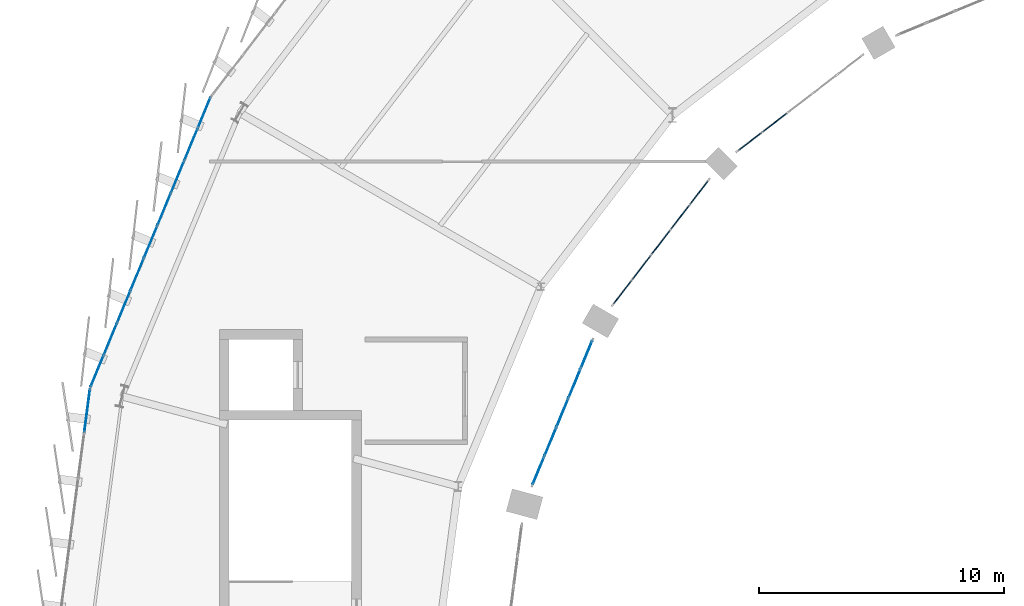
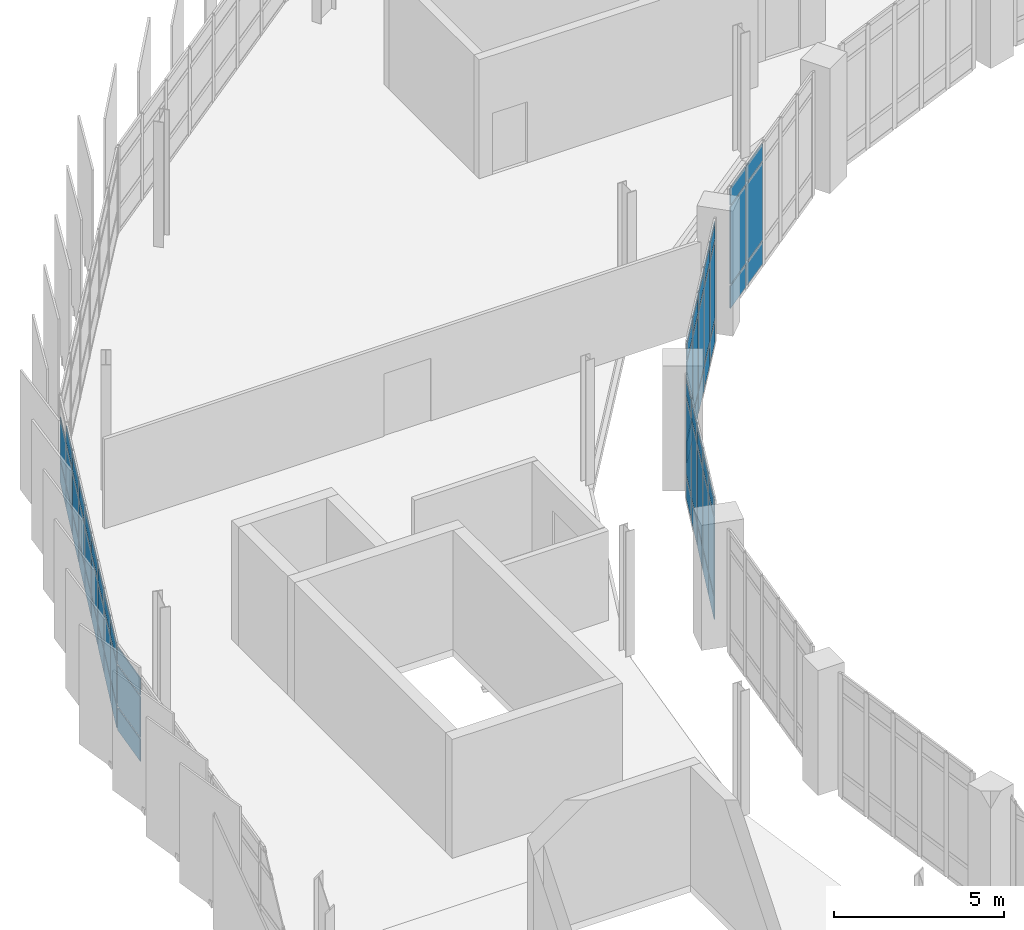
# One storey, part 53 of 67: 65 plates, 5 elements without a shape of their own.
"""IFC4 building model written with IfcOpenShell, lengths in metres."""

from ifc_helpers import new_model, si_unit, direction, frame, origin, origin_2d, place, context, subcontext, project, spatial, rectangle, extrude, material, layer, layer_set, type_object, element, aggregate, save


model = new_model("IFC4")

# Units and contexts
model_context = context("Model", 3, precision=1e-05, world=origin(), true_north=direction((0.0, 1.0)))
body_context = subcontext(model_context, "Body", "Model", "MODEL_VIEW")
ifc_project = project(units=[si_unit("LENGTHUNIT", "METRE"), si_unit("AREAUNIT", "SQUARE_METRE"), si_unit("VOLUMEUNIT", "CUBIC_METRE"), si_unit("PLANEANGLEUNIT", "RADIAN"), si_unit("MASSUNIT", "GRAM", prefix="KILO")], contexts=[model_context])

# Site, building, storey
site_placement = place(None, origin())
site = spatial("IfcSite", under=ifc_project, at=site_placement, CompositionType="ELEMENT")
building_placement = place(site_placement, origin())
building = spatial("IfcBuilding", under=site, at=building_placement, Name="Sohan Crest Arena", CompositionType="ELEMENT")
storey_placement = place(building_placement, frame((0.0, 0.0, 22.5)))
storey = spatial("IfcBuildingStorey", under=building, at=storey_placement, Name="L05", CompositionType="ELEMENT", Elevation=22.5)

# Curtain wall, plates
ifc_material_1 = material(Name="Thermally broken anodised aluminium", Category="aluminium")
ifc_layer_1 = layer(ifc_material_1, 0.18994140625, Name="Thermally broken anodised aluminium")
ifc_layer_set_1 = layer_set([ifc_layer_1], Name="Thermally broken anodised aluminium")
curtain_wall_type_1 = type_object("IfcCurtainWallType", Name="ARC-CW05", PredefinedType="NOTDEFINED", material=ifc_layer_set_1)
curtain_wall_1_placement = place(storey_placement, origin())
curtain_wall_1 = element("IfcCurtainWall", 1, at=curtain_wall_1_placement, inside=storey, type_object=curtain_wall_type_1, Name="Unitised curtain wall CW-150", PredefinedType="NOTDEFINED")
ifc_material_2 = material(Name="Low-E double-glazed insulated glass", Category="glass")
ifc_layer_2 = layer(ifc_material_2, 0.028076171875, Name="Low-E double-glazed insulated glass")
ifc_layer_set_2 = layer_set([ifc_layer_2], Name="Low-E double-glazed insulated glass")
plate_type_1 = type_object("IfcPlateType", Name="ARC-CNP01", PredefinedType="CURTAIN_PANEL", material=ifc_layer_set_2)
plate_1_placement = place(storey_placement, frame((54.982421875, 102.0, 0.06494140625), z_axis=(0.0, 0.0, 1.0), x_axis=(-0.382685432009, -0.923878704229, 0.0)))
plate_1 = element("IfcPlate", 2, at=plate_1_placement, type_object=plate_type_1, Name="CW-150 panel 1.1", PredefinedType="CURTAIN_PANEL", context=body_context, shape_type="SweptSolid", body=[
    extrude(rectangle(XDim=1.34130859375, YDim=0.028076171875, at=origin_2d()), origin(), (0.0, 0.0, 1.0), 0.802490234375),
])
plate_2_placement = place(storey_placement, frame((54.982421875, 102.0, 0.932373046875), z_axis=(0.0, 0.0, 1.0), x_axis=(-0.382685432009, -0.923878704229, 0.0)))
plate_2 = element("IfcPlate", 3, at=plate_2_placement, type_object=plate_type_1, Name="CW-150 panel 1.2", PredefinedType="CURTAIN_PANEL", context=body_context, shape_type="SweptSolid", body=[
    extrude(rectangle(XDim=1.34130859375, YDim=0.028076171875, at=origin_2d()), origin(), (0.0, 0.0, 1.0), 1.455078125),
])
plate_3_placement = place(storey_placement, frame((54.4404296875, 100.69140625, 0.06494140625), z_axis=(0.0, 0.0, 1.0), x_axis=(-0.382685432009, -0.923878704229, 0.0)))
plate_3 = element("IfcPlate", 4, at=plate_3_placement, type_object=plate_type_1, Name="CW-150 panel 2.1", PredefinedType="CURTAIN_PANEL", context=body_context, shape_type="SweptSolid", body=[
    extrude(rectangle(XDim=1.371337890625, YDim=0.028076171875, at=origin_2d()), origin(), (0.0, 0.0, 1.0), 0.802490234375),
])
plate_4_placement = place(storey_placement, frame((54.4404296875, 100.69140625, 0.932373046875), z_axis=(0.0, 0.0, 1.0), x_axis=(-0.382685432009, -0.923878704229, 0.0)))
plate_4 = element("IfcPlate", 5, at=plate_4_placement, type_object=plate_type_1, Name="CW-150 panel 2.2", PredefinedType="CURTAIN_PANEL", context=body_context, shape_type="SweptSolid", body=[
    extrude(rectangle(XDim=1.371337890625, YDim=0.028076171875, at=origin_2d()), origin(), (0.0, 0.0, 1.0), 1.455078125),
])
plate_5_placement = place(storey_placement, frame((54.4404296875, 100.69140625, 2.452392578125), z_axis=(0.0, 0.0, 1.0), x_axis=(-0.382685432009, -0.923878704229, 0.0)))
plate_5 = element("IfcPlate", 6, at=plate_5_placement, type_object=plate_type_1, Name="CW-150 panel 2.3", PredefinedType="CURTAIN_PANEL", context=body_context, shape_type="SweptSolid", body=[
    extrude(rectangle(XDim=1.371337890625, YDim=0.028076171875, at=origin_2d()), origin(), (0.0, 0.0, 1.0), 0.6025390625),
])
plate_6_placement = place(storey_placement, frame((53.892578125, 99.368896484375, 0.06494140625), z_axis=(0.0, 0.0, 1.0), x_axis=(-0.382685432009, -0.923878704229, 0.0)))
plate_6 = element("IfcPlate", 7, at=plate_6_placement, type_object=plate_type_1, Name="CW-150 panel 3.1", PredefinedType="CURTAIN_PANEL", context=body_context, shape_type="SweptSolid", body=[
    extrude(rectangle(XDim=1.371337890625, YDim=0.028076171875, at=origin_2d()), origin(), (0.0, 0.0, 1.0), 0.802490234375),
])
plate_7_placement = place(storey_placement, frame((53.892578125, 99.368896484375, 0.932373046875), z_axis=(0.0, 0.0, 1.0), x_axis=(-0.382685432009, -0.923878704229, 0.0)))
plate_7 = element("IfcPlate", 8, at=plate_7_placement, type_object=plate_type_1, Name="CW-150 panel 3.2", PredefinedType="CURTAIN_PANEL", context=body_context, shape_type="SweptSolid", body=[
    extrude(rectangle(XDim=1.371337890625, YDim=0.028076171875, at=origin_2d()), origin(), (0.0, 0.0, 1.0), 1.455078125),
])
plate_8_placement = place(storey_placement, frame((53.892578125, 99.368896484375, 2.452392578125), z_axis=(0.0, 0.0, 1.0), x_axis=(-0.382685432009, -0.923878704229, 0.0)))
plate_8 = element("IfcPlate", 9, at=plate_8_placement, type_object=plate_type_1, Name="CW-150 panel 3.3", PredefinedType="CURTAIN_PANEL", context=body_context, shape_type="SweptSolid", body=[
    extrude(rectangle(XDim=1.371337890625, YDim=0.028076171875, at=origin_2d()), origin(), (0.0, 0.0, 1.0), 0.6025390625),
])
plate_9_placement = place(storey_placement, frame((53.3447265625, 98.04638671875, 0.06494140625), z_axis=(0.0, 0.0, 1.0), x_axis=(-0.382685432009, -0.923878704229, 0.0)))
plate_9 = element("IfcPlate", 10, at=plate_9_placement, type_object=plate_type_1, Name="CW-150 panel 4.1", PredefinedType="CURTAIN_PANEL", context=body_context, shape_type="SweptSolid", body=[
    extrude(rectangle(XDim=1.371337890625, YDim=0.028076171875, at=origin_2d()), origin(), (0.0, 0.0, 1.0), 0.802490234375),
])
plate_10_placement = place(storey_placement, frame((53.3447265625, 98.04638671875, 0.932373046875), z_axis=(0.0, 0.0, 1.0), x_axis=(-0.382685432009, -0.923878704229, 0.0)))
plate_10 = element("IfcPlate", 11, at=plate_10_placement, type_object=plate_type_1, Name="CW-150 panel 4.2", PredefinedType="CURTAIN_PANEL", context=body_context, shape_type="SweptSolid", body=[
    extrude(rectangle(XDim=1.371337890625, YDim=0.028076171875, at=origin_2d()), origin(), (0.0, 0.0, 1.0), 1.455078125),
])
plate_11_placement = place(storey_placement, frame((53.3447265625, 98.04638671875, 2.452392578125), z_axis=(0.0, 0.0, 1.0), x_axis=(-0.382685432009, -0.923878704229, 0.0)))
plate_11 = element("IfcPlate", 12, at=plate_11_placement, type_object=plate_type_1, Name="CW-150 panel 4.3", PredefinedType="CURTAIN_PANEL", context=body_context, shape_type="SweptSolid", body=[
    extrude(rectangle(XDim=1.371337890625, YDim=0.028076171875, at=origin_2d()), origin(), (0.0, 0.0, 1.0), 0.6025390625),
])
plate_12_placement = place(storey_placement, frame((52.797119140625, 96.72412109375, 0.06494140625), z_axis=(0.0, 0.0, 1.0), x_axis=(-0.382685432009, -0.923878704229, 0.0)))
plate_12 = element("IfcPlate", 13, at=plate_12_placement, type_object=plate_type_1, Name="CW-150 panel 5.1", PredefinedType="CURTAIN_PANEL", context=body_context, shape_type="SweptSolid", body=[
    extrude(rectangle(XDim=1.371337890625, YDim=0.028076171875, at=origin_2d()), origin(), (0.0, 0.0, 1.0), 0.802490234375),
])
plate_13_placement = place(storey_placement, frame((52.797119140625, 96.72412109375, 0.932373046875), z_axis=(0.0, 0.0, 1.0), x_axis=(-0.382685432009, -0.923878704229, 0.0)))
plate_13 = element("IfcPlate", 14, at=plate_13_placement, type_object=plate_type_1, Name="CW-150 panel 5.2", PredefinedType="CURTAIN_PANEL", context=body_context, shape_type="SweptSolid", body=[
    extrude(rectangle(XDim=1.371337890625, YDim=0.028076171875, at=origin_2d()), origin(), (0.0, 0.0, 1.0), 1.455078125),
])
plate_14_placement = place(storey_placement, frame((52.797119140625, 96.72412109375, 2.452392578125), z_axis=(0.0, 0.0, 1.0), x_axis=(-0.382685432009, -0.923878704229, 0.0)))
plate_14 = element("IfcPlate", 15, at=plate_14_placement, type_object=plate_type_1, Name="CW-150 panel 5.3", PredefinedType="CURTAIN_PANEL", context=body_context, shape_type="SweptSolid", body=[
    extrude(rectangle(XDim=1.371337890625, YDim=0.028076171875, at=origin_2d()), origin(), (0.0, 0.0, 1.0), 0.6025390625),
])
plate_15_placement = place(storey_placement, frame((52.249267578125, 95.401611328125, 0.06494140625), z_axis=(0.0, 0.0, 1.0), x_axis=(-0.382685432009, -0.923878704229, 0.0)))
plate_15 = element("IfcPlate", 16, at=plate_15_placement, type_object=plate_type_1, Name="CW-150 panel 6.1", PredefinedType="CURTAIN_PANEL", context=body_context, shape_type="SweptSolid", body=[
    extrude(rectangle(XDim=1.371337890625, YDim=0.028076171875, at=origin_2d()), origin(), (0.0, 0.0, 1.0), 0.802490234375),
])
plate_16_placement = place(storey_placement, frame((52.249267578125, 95.401611328125, 0.932373046875), z_axis=(0.0, 0.0, 1.0), x_axis=(-0.382685432009, -0.923878704229, 0.0)))
plate_16 = element("IfcPlate", 17, at=plate_16_placement, type_object=plate_type_1, Name="CW-150 panel 6.2", PredefinedType="CURTAIN_PANEL", context=body_context, shape_type="SweptSolid", body=[
    extrude(rectangle(XDim=1.371337890625, YDim=0.028076171875, at=origin_2d()), origin(), (0.0, 0.0, 1.0), 1.455078125),
])
plate_17_placement = place(storey_placement, frame((52.249267578125, 95.401611328125, 2.452392578125), z_axis=(0.0, 0.0, 1.0), x_axis=(-0.382685432009, -0.923878704229, 0.0)))
plate_17 = element("IfcPlate", 18, at=plate_17_placement, type_object=plate_type_1, Name="CW-150 panel 6.3", PredefinedType="CURTAIN_PANEL", context=body_context, shape_type="SweptSolid", body=[
    extrude(rectangle(XDim=1.371337890625, YDim=0.028076171875, at=origin_2d()), origin(), (0.0, 0.0, 1.0), 0.6025390625),
])
plate_18_placement = place(storey_placement, frame((51.701416015625, 94.0791015625, 0.06494140625), z_axis=(0.0, 0.0, 1.0), x_axis=(-0.382685432009, -0.923878704229, 0.0)))
plate_18 = element("IfcPlate", 19, at=plate_18_placement, type_object=plate_type_1, Name="CW-150 panel 7.1", PredefinedType="CURTAIN_PANEL", context=body_context, shape_type="SweptSolid", body=[
    extrude(rectangle(XDim=1.371337890625, YDim=0.028076171875, at=origin_2d()), origin(), (0.0, 0.0, 1.0), 0.802490234375),
])
plate_19_placement = place(storey_placement, frame((51.701416015625, 94.0791015625, 0.932373046875), z_axis=(0.0, 0.0, 1.0), x_axis=(-0.382685432009, -0.923878704229, 0.0)))
plate_19 = element("IfcPlate", 20, at=plate_19_placement, type_object=plate_type_1, Name="CW-150 panel 7.2", PredefinedType="CURTAIN_PANEL", context=body_context, shape_type="SweptSolid", body=[
    extrude(rectangle(XDim=1.371337890625, YDim=0.028076171875, at=origin_2d()), origin(), (0.0, 0.0, 1.0), 1.455078125),
])
plate_20_placement = place(storey_placement, frame((51.701416015625, 94.0791015625, 2.452392578125), z_axis=(0.0, 0.0, 1.0), x_axis=(-0.382685432009, -0.923878704229, 0.0)))
plate_20 = element("IfcPlate", 21, at=plate_20_placement, type_object=plate_type_1, Name="CW-150 panel 7.3", PredefinedType="CURTAIN_PANEL", context=body_context, shape_type="SweptSolid", body=[
    extrude(rectangle(XDim=1.371337890625, YDim=0.028076171875, at=origin_2d()), origin(), (0.0, 0.0, 1.0), 0.6025390625),
])
plate_21_placement = place(storey_placement, frame((51.153564453125, 92.756591796875, 0.06494140625), z_axis=(0.0, 0.0, 1.0), x_axis=(-0.382685432009, -0.923878704229, 0.0)))
plate_21 = element("IfcPlate", 22, at=plate_21_placement, type_object=plate_type_1, Name="CW-150 panel 8.1", PredefinedType="CURTAIN_PANEL", context=body_context, shape_type="SweptSolid", body=[
    extrude(rectangle(XDim=1.371337890625, YDim=0.028076171875, at=origin_2d()), origin(), (0.0, 0.0, 1.0), 0.802490234375),
])
plate_22_placement = place(storey_placement, frame((51.153564453125, 92.756591796875, 0.932373046875), z_axis=(0.0, 0.0, 1.0), x_axis=(-0.382685432009, -0.923878704229, 0.0)))
plate_22 = element("IfcPlate", 23, at=plate_22_placement, type_object=plate_type_1, Name="CW-150 panel 8.2", PredefinedType="CURTAIN_PANEL", context=body_context, shape_type="SweptSolid", body=[
    extrude(rectangle(XDim=1.371337890625, YDim=0.028076171875, at=origin_2d()), origin(), (0.0, 0.0, 1.0), 1.455078125),
])
plate_23_placement = place(storey_placement, frame((51.153564453125, 92.756591796875, 2.452392578125), z_axis=(0.0, 0.0, 1.0), x_axis=(-0.382685432009, -0.923878704229, 0.0)))
plate_23 = element("IfcPlate", 24, at=plate_23_placement, type_object=plate_type_1, Name="CW-150 panel 8.3", PredefinedType="CURTAIN_PANEL", context=body_context, shape_type="SweptSolid", body=[
    extrude(rectangle(XDim=1.371337890625, YDim=0.028076171875, at=origin_2d()), origin(), (0.0, 0.0, 1.0), 0.6025390625),
])
plate_24_placement = place(storey_placement, frame((50.611572265625, 91.447998046875, 0.06494140625), z_axis=(0.0, 0.0, 1.0), x_axis=(-0.382685432009, -0.923878704229, 0.0)))
plate_24 = element("IfcPlate", 25, at=plate_24_placement, type_object=plate_type_1, Name="CW-150 panel 9.1", PredefinedType="CURTAIN_PANEL", context=body_context, shape_type="SweptSolid", body=[
    extrude(rectangle(XDim=1.34130859375, YDim=0.028076171875, at=origin_2d()), origin(), (0.0, 0.0, 1.0), 0.802490234375),
])
plate_25_placement = place(storey_placement, frame((50.611572265625, 91.447998046875, 0.932373046875), z_axis=(0.0, 0.0, 1.0), x_axis=(-0.382685432009, -0.923878704229, 0.0)))
plate_25 = element("IfcPlate", 26, at=plate_25_placement, type_object=plate_type_1, Name="CW-150 panel 9.2", PredefinedType="CURTAIN_PANEL", context=body_context, shape_type="SweptSolid", body=[
    extrude(rectangle(XDim=1.34130859375, YDim=0.028076171875, at=origin_2d()), origin(), (0.0, 0.0, 1.0), 1.455078125),
])
plate_26_placement = place(storey_placement, frame((50.611572265625, 91.447998046875, 2.452392578125), z_axis=(0.0, 0.0, 1.0), x_axis=(-0.382685432009, -0.923878704229, 0.0)))
plate_26 = element("IfcPlate", 27, at=plate_26_placement, type_object=plate_type_1, Name="CW-150 panel 9.3", PredefinedType="CURTAIN_PANEL", context=body_context, shape_type="SweptSolid", body=[
    extrude(rectangle(XDim=1.34130859375, YDim=0.028076171875, at=origin_2d()), origin(), (0.0, 0.0, 1.0), 0.6025390625),
])
aggregate(curtain_wall_1, [plate_1, plate_2, plate_3, plate_4, plate_5, plate_6, plate_7, plate_8, plate_9, plate_10, plate_11, plate_12, plate_13, plate_14, plate_15, plate_16, plate_17, plate_18, plate_19, plate_20, plate_21, plate_22, plate_23, plate_24, plate_25, plate_26])

ifc_layer_3 = layer(ifc_material_1, 0.2099609375, Name="Thermally broken anodised aluminium")
ifc_layer_set_3 = layer_set([ifc_layer_3], Name="Thermally broken anodised aluminium")
curtain_wall_type_2 = type_object("IfcCurtainWallType", Name="ARC-CW06", PredefinedType="NOTDEFINED", material=ifc_layer_set_3)
curtain_wall_2_placement = place(storey_placement, origin())
curtain_wall_2 = element("IfcCurtainWall", 28, at=curtain_wall_2_placement, inside=storey, type_object=curtain_wall_type_2, Name="Unitised curtain wall CW-151", PredefinedType="NOTDEFINED")
ifc_layer_4 = layer(ifc_material_2, 0.031982421875, Name="Low-E double-glazed insulated glass")
ifc_layer_set_4 = layer_set([ifc_layer_4], Name="Low-E double-glazed insulated glass")
plate_type_2 = type_object("IfcPlateType", Name="ARC-CNP02", PredefinedType="CURTAIN_PANEL", material=ifc_layer_set_4)
plate_27_placement = place(storey_placement, frame((50.209716796875, 89.844482421875, 0.070068359375), z_axis=(0.0, 0.0, 1.0), x_axis=(-0.130556913275, -0.991440816386, 0.0)))
plate_27 = element("IfcPlate", 29, at=plate_27_placement, type_object=plate_type_2, Name="CW-151 panel 1.1", PredefinedType="CURTAIN_PANEL", context=body_context, shape_type="SweptSolid", body=[
    extrude(rectangle(XDim=1.742919921875, YDim=0.031982421875, at=origin_2d()), origin(), (0.0, 0.0, 1.0), 0.794921875),
])
plate_28_placement = place(storey_placement, frame((50.209716796875, 89.844482421875, 0.93505859375), z_axis=(0.0, 0.0, 1.0), x_axis=(-0.130556913275, -0.991440816386, 0.0)))
plate_28 = element("IfcPlate", 30, at=plate_28_placement, type_object=plate_type_2, Name="CW-151 panel 1.2", PredefinedType="CURTAIN_PANEL", context=body_context, shape_type="SweptSolid", body=[
    extrude(rectangle(XDim=1.742919921875, YDim=0.031982421875, at=origin_2d()), origin(), (0.0, 0.0, 1.0), 1.449951171875),
])
plate_29_placement = place(storey_placement, frame((50.209716796875, 89.844482421875, 2.455078125), z_axis=(0.0, 0.0, 1.0), x_axis=(-0.130556913275, -0.991440816386, 0.0)))
plate_29 = element("IfcPlate", 31, at=plate_29_placement, type_object=plate_type_2, Name="CW-151 panel 1.3", PredefinedType="CURTAIN_PANEL", context=body_context, shape_type="SweptSolid", body=[
    extrude(rectangle(XDim=1.742919921875, YDim=0.031982421875, at=origin_2d()), origin(), (0.0, 0.0, 1.0), 0.594970703125),
])
aggregate(curtain_wall_2, [plate_27, plate_28, plate_29])

curtain_wall_3_placement = place(storey_placement, origin())
curtain_wall_3 = element("IfcCurtainWall", 32, at=curtain_wall_3_placement, inside=storey, type_object=curtain_wall_type_1, Name="Unitised curtain wall CW-168", PredefinedType="NOTDEFINED")
ifc_material_3 = material(Name="Ceramic-fritted solar-control insulated glass", Category="glass")
ifc_layer_5 = layer(ifc_material_3, 0.035888671875, Name="Ceramic-fritted solar-control insulated glass")
ifc_layer_set_5 = layer_set([ifc_layer_5], Name="Ceramic-fritted solar-control insulated glass")
plate_type_3 = type_object("IfcPlateType", Name="ARC-CNP03", PredefinedType="CURTAIN_PANEL", material=ifc_layer_set_5)
plate_30_placement = place(storey_placement, frame((78.266357421875, 101.59765625, 0.06494140625), z_axis=(0.0, 0.0, 1.0), x_axis=(-0.793217053508, -0.608939000248, 0.0)))
plate_30 = element("IfcPlate", 33, at=plate_30_placement, type_object=plate_type_3, Name="CW-168 panel 4.1", PredefinedType="CURTAIN_PANEL", context=body_context, shape_type="SweptSolid", body=[
    extrude(rectangle(XDim=1.220458984375, YDim=0.035888671875, at=origin_2d()), origin(), (0.0, 0.0, 1.0), 0.802490234375),
])
plate_31_placement = place(storey_placement, frame((78.266357421875, 101.59765625, 0.9326171875), z_axis=(0.0, 0.0, 1.0), x_axis=(-0.793217053508, -0.608939000248, 0.0)))
plate_31 = element("IfcPlate", 34, at=plate_31_placement, type_object=plate_type_3, Name="CW-168 panel 4.2", PredefinedType="CURTAIN_PANEL", context=body_context, shape_type="SweptSolid", body=[
    extrude(rectangle(XDim=1.220458984375, YDim=0.035888671875, at=origin_2d()), origin(), (0.0, 0.0, 1.0), 2.784912109375),
])
plate_32_placement = place(storey_placement, frame((78.266357421875, 101.59765625, 3.782470703125), z_axis=(0.0, 0.0, 1.0), x_axis=(-0.793217053508, -0.608939000248, 0.0)))
plate_32 = element("IfcPlate", 35, at=plate_32_placement, type_object=plate_type_3, Name="CW-168 panel 4.3", PredefinedType="CURTAIN_PANEL", context=body_context, shape_type="SweptSolid", body=[
    extrude(rectangle(XDim=1.220458984375, YDim=0.035888671875, at=origin_2d()), origin(), (0.0, 0.0, 1.0), 0.6025390625),
])
plate_33_placement = place(storey_placement, frame((77.256591796875, 100.822509765625, 0.06494140625), z_axis=(0.0, 0.0, 1.0), x_axis=(-0.793217053508, -0.608939000248, 0.0)))
plate_33 = element("IfcPlate", 36, at=plate_33_placement, type_object=plate_type_3, Name="CW-168 panel 5.1", PredefinedType="CURTAIN_PANEL", context=body_context, shape_type="SweptSolid", body=[
    extrude(rectangle(XDim=1.185546875, YDim=0.035888671875, at=origin_2d()), origin(), (0.0, 0.0, 1.0), 0.802490234375),
])
plate_34_placement = place(storey_placement, frame((77.256591796875, 100.822509765625, 0.9326171875), z_axis=(0.0, 0.0, 1.0), x_axis=(-0.793217053508, -0.608939000248, 0.0)))
plate_34 = element("IfcPlate", 37, at=plate_34_placement, type_object=plate_type_3, Name="CW-168 panel 5.2", PredefinedType="CURTAIN_PANEL", context=body_context, shape_type="SweptSolid", body=[
    extrude(rectangle(XDim=1.185546875, YDim=0.035888671875, at=origin_2d()), origin(), (0.0, 0.0, 1.0), 2.784912109375),
])
plate_35_placement = place(storey_placement, frame((77.256591796875, 100.822509765625, 3.782470703125), z_axis=(0.0, 0.0, 1.0), x_axis=(-0.793217053508, -0.608939000248, 0.0)))
plate_35 = element("IfcPlate", 38, at=plate_35_placement, type_object=plate_type_3, Name="CW-168 panel 5.3", PredefinedType="CURTAIN_PANEL", context=body_context, shape_type="SweptSolid", body=[
    extrude(rectangle(XDim=1.185546875, YDim=0.035888671875, at=origin_2d()), origin(), (0.0, 0.0, 1.0), 0.6025390625),
])
aggregate(curtain_wall_3, [plate_30, plate_31, plate_32, plate_33, plate_34, plate_35])

curtain_wall_4_placement = place(storey_placement, origin())
curtain_wall_4 = element("IfcCurtainWall", 39, at=curtain_wall_4_placement, inside=storey, type_object=curtain_wall_type_1, Name="Unitised curtain wall CW-170", PredefinedType="NOTDEFINED")
plate_36_placement = place(storey_placement, frame((75.177490234375, 98.743408203125, 0.06494140625), z_axis=(0.0, 0.0, 1.0), x_axis=(-0.608939000248, -0.793217053508, 0.0)))
plate_36 = element("IfcPlate", 40, at=plate_36_placement, type_object=plate_type_3, Name="CW-170 panel 1.1", PredefinedType="CURTAIN_PANEL", context=body_context, shape_type="SweptSolid", body=[
    extrude(rectangle(XDim=1.185546875, YDim=0.035888671875, at=origin_2d()), origin(), (0.0, 0.0, 1.0), 0.802490234375),
])
plate_37_placement = place(storey_placement, frame((75.177490234375, 98.743408203125, 0.9326171875), z_axis=(0.0, 0.0, 1.0), x_axis=(-0.608939000248, -0.793217053508, 0.0)))
plate_37 = element("IfcPlate", 41, at=plate_37_placement, type_object=plate_type_3, Name="CW-170 panel 1.2", PredefinedType="CURTAIN_PANEL", context=body_context, shape_type="SweptSolid", body=[
    extrude(rectangle(XDim=1.185546875, YDim=0.035888671875, at=origin_2d()), origin(), (0.0, 0.0, 1.0), 2.784912109375),
])
plate_38_placement = place(storey_placement, frame((75.177490234375, 98.743408203125, 3.782470703125), z_axis=(0.0, 0.0, 1.0), x_axis=(-0.608939000248, -0.793217053508, 0.0)))
plate_38 = element("IfcPlate", 42, at=plate_38_placement, type_object=plate_type_3, Name="CW-170 panel 1.3", PredefinedType="CURTAIN_PANEL", context=body_context, shape_type="SweptSolid", body=[
    extrude(rectangle(XDim=1.185546875, YDim=0.035888671875, at=origin_2d()), origin(), (0.0, 0.0, 1.0), 0.6025390625),
])
plate_39_placement = place(storey_placement, frame((74.40234375, 97.733642578125, 0.06494140625), z_axis=(0.0, 0.0, 1.0), x_axis=(-0.608939000248, -0.793217053508, 0.0)))
plate_39 = element("IfcPlate", 43, at=plate_39_placement, type_object=plate_type_3, Name="CW-170 panel 2.1", PredefinedType="CURTAIN_PANEL", context=body_context, shape_type="SweptSolid", body=[
    extrude(rectangle(XDim=1.220458984375, YDim=0.035888671875, at=origin_2d()), origin(), (0.0, 0.0, 1.0), 0.802490234375),
])
plate_40_placement = place(storey_placement, frame((74.40234375, 97.733642578125, 0.9326171875), z_axis=(0.0, 0.0, 1.0), x_axis=(-0.608939000248, -0.793217053508, 0.0)))
plate_40 = element("IfcPlate", 44, at=plate_40_placement, type_object=plate_type_3, Name="CW-170 panel 2.2", PredefinedType="CURTAIN_PANEL", context=body_context, shape_type="SweptSolid", body=[
    extrude(rectangle(XDim=1.220458984375, YDim=0.035888671875, at=origin_2d()), origin(), (0.0, 0.0, 1.0), 2.784912109375),
])
plate_41_placement = place(storey_placement, frame((74.40234375, 97.733642578125, 3.782470703125), z_axis=(0.0, 0.0, 1.0), x_axis=(-0.608939000248, -0.793217053508, 0.0)))
plate_41 = element("IfcPlate", 45, at=plate_41_placement, type_object=plate_type_3, Name="CW-170 panel 2.3", PredefinedType="CURTAIN_PANEL", context=body_context, shape_type="SweptSolid", body=[
    extrude(rectangle(XDim=1.220458984375, YDim=0.035888671875, at=origin_2d()), origin(), (0.0, 0.0, 1.0), 0.6025390625),
])
plate_42_placement = place(storey_placement, frame((73.616455078125, 96.7099609375, 0.06494140625), z_axis=(0.0, 0.0, 1.0), x_axis=(-0.608939000248, -0.793217053508, 0.0)))
plate_42 = element("IfcPlate", 46, at=plate_42_placement, type_object=plate_type_3, Name="CW-170 panel 3.1", PredefinedType="CURTAIN_PANEL", context=body_context, shape_type="SweptSolid", body=[
    extrude(rectangle(XDim=1.220458984375, YDim=0.035888671875, at=origin_2d()), origin(), (0.0, 0.0, 1.0), 0.802490234375),
])
plate_43_placement = place(storey_placement, frame((73.616455078125, 96.7099609375, 0.9326171875), z_axis=(0.0, 0.0, 1.0), x_axis=(-0.608939000248, -0.793217053508, 0.0)))
plate_43 = element("IfcPlate", 47, at=plate_43_placement, type_object=plate_type_3, Name="CW-170 panel 3.2", PredefinedType="CURTAIN_PANEL", context=body_context, shape_type="SweptSolid", body=[
    extrude(rectangle(XDim=1.220458984375, YDim=0.035888671875, at=origin_2d()), origin(), (0.0, 0.0, 1.0), 2.784912109375),
])
plate_44_placement = place(storey_placement, frame((73.616455078125, 96.7099609375, 3.782470703125), z_axis=(0.0, 0.0, 1.0), x_axis=(-0.608939000248, -0.793217053508, 0.0)))
plate_44 = element("IfcPlate", 48, at=plate_44_placement, type_object=plate_type_3, Name="CW-170 panel 3.3", PredefinedType="CURTAIN_PANEL", context=body_context, shape_type="SweptSolid", body=[
    extrude(rectangle(XDim=1.220458984375, YDim=0.035888671875, at=origin_2d()), origin(), (0.0, 0.0, 1.0), 0.6025390625),
])
plate_45_placement = place(storey_placement, frame((72.830810546875, 95.686279296875, 0.06494140625), z_axis=(0.0, 0.0, 1.0), x_axis=(-0.608939000248, -0.793217053508, 0.0)))
plate_45 = element("IfcPlate", 49, at=plate_45_placement, type_object=plate_type_3, Name="CW-170 panel 4.1", PredefinedType="CURTAIN_PANEL", context=body_context, shape_type="SweptSolid", body=[
    extrude(rectangle(XDim=1.220458984375, YDim=0.035888671875, at=origin_2d()), origin(), (0.0, 0.0, 1.0), 0.802490234375),
])
plate_46_placement = place(storey_placement, frame((72.830810546875, 95.686279296875, 0.9326171875), z_axis=(0.0, 0.0, 1.0), x_axis=(-0.608939000248, -0.793217053508, 0.0)))
plate_46 = element("IfcPlate", 50, at=plate_46_placement, type_object=plate_type_3, Name="CW-170 panel 4.2", PredefinedType="CURTAIN_PANEL", context=body_context, shape_type="SweptSolid", body=[
    extrude(rectangle(XDim=1.220458984375, YDim=0.035888671875, at=origin_2d()), origin(), (0.0, 0.0, 1.0), 2.784912109375),
])
plate_47_placement = place(storey_placement, frame((72.830810546875, 95.686279296875, 3.782470703125), z_axis=(0.0, 0.0, 1.0), x_axis=(-0.608939000248, -0.793217053508, 0.0)))
plate_47 = element("IfcPlate", 51, at=plate_47_placement, type_object=plate_type_3, Name="CW-170 panel 4.3", PredefinedType="CURTAIN_PANEL", context=body_context, shape_type="SweptSolid", body=[
    extrude(rectangle(XDim=1.220458984375, YDim=0.035888671875, at=origin_2d()), origin(), (0.0, 0.0, 1.0), 0.6025390625),
])
plate_48_placement = place(storey_placement, frame((72.0556640625, 94.6767578125, 0.06494140625), z_axis=(0.0, 0.0, 1.0), x_axis=(-0.608939000248, -0.793217053508, 0.0)))
plate_48 = element("IfcPlate", 52, at=plate_48_placement, type_object=plate_type_3, Name="CW-170 panel 5.1", PredefinedType="CURTAIN_PANEL", context=body_context, shape_type="SweptSolid", body=[
    extrude(rectangle(XDim=1.185546875, YDim=0.035888671875, at=origin_2d()), origin(), (0.0, 0.0, 1.0), 0.802490234375),
])
plate_49_placement = place(storey_placement, frame((72.0556640625, 94.6767578125, 0.9326171875), z_axis=(0.0, 0.0, 1.0), x_axis=(-0.608939000248, -0.793217053508, 0.0)))
plate_49 = element("IfcPlate", 53, at=plate_49_placement, type_object=plate_type_3, Name="CW-170 panel 5.2", PredefinedType="CURTAIN_PANEL", context=body_context, shape_type="SweptSolid", body=[
    extrude(rectangle(XDim=1.185546875, YDim=0.035888671875, at=origin_2d()), origin(), (0.0, 0.0, 1.0), 2.784912109375),
])
plate_50_placement = place(storey_placement, frame((72.0556640625, 94.6767578125, 3.782470703125), z_axis=(0.0, 0.0, 1.0), x_axis=(-0.608939000248, -0.793217053508, 0.0)))
plate_50 = element("IfcPlate", 54, at=plate_50_placement, type_object=plate_type_3, Name="CW-170 panel 5.3", PredefinedType="CURTAIN_PANEL", context=body_context, shape_type="SweptSolid", body=[
    extrude(rectangle(XDim=1.185546875, YDim=0.035888671875, at=origin_2d()), origin(), (0.0, 0.0, 1.0), 0.6025390625),
])
aggregate(curtain_wall_4, [plate_36, plate_37, plate_38, plate_39, plate_40, plate_41, plate_42, plate_43, plate_44, plate_45, plate_46, plate_47, plate_48, plate_49, plate_50])

curtain_wall_5_placement = place(storey_placement, origin())
curtain_wall_5 = element("IfcCurtainWall", 55, at=curtain_wall_5_placement, inside=storey, type_object=curtain_wall_type_1, Name="Unitised curtain wall CW-172", PredefinedType="NOTDEFINED")
plate_51_placement = place(storey_placement, frame((70.58544921875, 92.129638671875, 0.06494140625), z_axis=(0.0, 0.0, 1.0), x_axis=(-0.382666625357, -0.923886494023, 0.0)))
plate_51 = element("IfcPlate", 56, at=plate_51_placement, type_object=plate_type_3, Name="CW-172 panel 1.1", PredefinedType="CURTAIN_PANEL", context=body_context, shape_type="SweptSolid", body=[
    extrude(rectangle(XDim=1.185302734375, YDim=0.035888671875, at=origin_2d()), origin(), (0.0, 0.0, 1.0), 0.802490234375),
])
plate_52_placement = place(storey_placement, frame((70.58544921875, 92.129638671875, 0.9326171875), z_axis=(0.0, 0.0, 1.0), x_axis=(-0.382666625357, -0.923886494023, 0.0)))
plate_52 = element("IfcPlate", 57, at=plate_52_placement, type_object=plate_type_3, Name="CW-172 panel 1.2", PredefinedType="CURTAIN_PANEL", context=body_context, shape_type="SweptSolid", body=[
    extrude(rectangle(XDim=1.185302734375, YDim=0.035888671875, at=origin_2d()), origin(), (0.0, 0.0, 1.0), 2.784912109375),
])
plate_53_placement = place(storey_placement, frame((70.58544921875, 92.129638671875, 3.782470703125), z_axis=(0.0, 0.0, 1.0), x_axis=(-0.382666625357, -0.923886494023, 0.0)))
plate_53 = element("IfcPlate", 58, at=plate_53_placement, type_object=plate_type_3, Name="CW-172 panel 1.3", PredefinedType="CURTAIN_PANEL", context=body_context, shape_type="SweptSolid", body=[
    extrude(rectangle(XDim=1.185302734375, YDim=0.035888671875, at=origin_2d()), origin(), (0.0, 0.0, 1.0), 0.6025390625),
])
plate_54_placement = place(storey_placement, frame((70.098388671875, 90.95361328125, 0.06494140625), z_axis=(0.0, 0.0, 1.0), x_axis=(-0.382666625357, -0.923886494023, 0.0)))
plate_54 = element("IfcPlate", 59, at=plate_54_placement, type_object=plate_type_3, Name="CW-172 panel 2.1", PredefinedType="CURTAIN_PANEL", context=body_context, shape_type="SweptSolid", body=[
    extrude(rectangle(XDim=1.220458984375, YDim=0.035888671875, at=origin_2d()), origin(), (0.0, 0.0, 1.0), 0.802490234375),
])
plate_55_placement = place(storey_placement, frame((70.098388671875, 90.95361328125, 0.9326171875), z_axis=(0.0, 0.0, 1.0), x_axis=(-0.382666625357, -0.923886494023, 0.0)))
plate_55 = element("IfcPlate", 60, at=plate_55_placement, type_object=plate_type_3, Name="CW-172 panel 2.2", PredefinedType="CURTAIN_PANEL", context=body_context, shape_type="SweptSolid", body=[
    extrude(rectangle(XDim=1.220458984375, YDim=0.035888671875, at=origin_2d()), origin(), (0.0, 0.0, 1.0), 2.784912109375),
])
plate_56_placement = place(storey_placement, frame((70.098388671875, 90.95361328125, 3.782470703125), z_axis=(0.0, 0.0, 1.0), x_axis=(-0.382666625357, -0.923886494023, 0.0)))
plate_56 = element("IfcPlate", 61, at=plate_56_placement, type_object=plate_type_3, Name="CW-172 panel 2.3", PredefinedType="CURTAIN_PANEL", context=body_context, shape_type="SweptSolid", body=[
    extrude(rectangle(XDim=1.220458984375, YDim=0.035888671875, at=origin_2d()), origin(), (0.0, 0.0, 1.0), 0.6025390625),
])
plate_57_placement = place(storey_placement, frame((69.6044921875, 89.761474609375, 0.06494140625), z_axis=(0.0, 0.0, 1.0), x_axis=(-0.382666625357, -0.923886494023, 0.0)))
plate_57 = element("IfcPlate", 62, at=plate_57_placement, type_object=plate_type_3, Name="CW-172 panel 3.1", PredefinedType="CURTAIN_PANEL", context=body_context, shape_type="SweptSolid", body=[
    extrude(rectangle(XDim=1.220458984375, YDim=0.035888671875, at=origin_2d()), origin(), (0.0, 0.0, 1.0), 0.802490234375),
])
plate_58_placement = place(storey_placement, frame((69.6044921875, 89.761474609375, 0.9326171875), z_axis=(0.0, 0.0, 1.0), x_axis=(-0.382666625357, -0.923886494023, 0.0)))
plate_58 = element("IfcPlate", 63, at=plate_58_placement, type_object=plate_type_3, Name="CW-172 panel 3.2", PredefinedType="CURTAIN_PANEL", context=body_context, shape_type="SweptSolid", body=[
    extrude(rectangle(XDim=1.220458984375, YDim=0.035888671875, at=origin_2d()), origin(), (0.0, 0.0, 1.0), 2.784912109375),
])
plate_59_placement = place(storey_placement, frame((69.6044921875, 89.761474609375, 3.782470703125), z_axis=(0.0, 0.0, 1.0), x_axis=(-0.382666625357, -0.923886494023, 0.0)))
plate_59 = element("IfcPlate", 64, at=plate_59_placement, type_object=plate_type_3, Name="CW-172 panel 3.3", PredefinedType="CURTAIN_PANEL", context=body_context, shape_type="SweptSolid", body=[
    extrude(rectangle(XDim=1.220458984375, YDim=0.035888671875, at=origin_2d()), origin(), (0.0, 0.0, 1.0), 0.6025390625),
])
plate_60_placement = place(storey_placement, frame((69.110595703125, 88.5693359375, 0.06494140625), z_axis=(0.0, 0.0, 1.0), x_axis=(-0.382666625357, -0.923886494023, 0.0)))
plate_60 = element("IfcPlate", 65, at=plate_60_placement, type_object=plate_type_3, Name="CW-172 panel 4.1", PredefinedType="CURTAIN_PANEL", context=body_context, shape_type="SweptSolid", body=[
    extrude(rectangle(XDim=1.220458984375, YDim=0.035888671875, at=origin_2d()), origin(), (0.0, 0.0, 1.0), 0.802490234375),
])
plate_61_placement = place(storey_placement, frame((69.110595703125, 88.5693359375, 0.9326171875), z_axis=(0.0, 0.0, 1.0), x_axis=(-0.382666625357, -0.923886494023, 0.0)))
plate_61 = element("IfcPlate", 66, at=plate_61_placement, type_object=plate_type_3, Name="CW-172 panel 4.2", PredefinedType="CURTAIN_PANEL", context=body_context, shape_type="SweptSolid", body=[
    extrude(rectangle(XDim=1.220458984375, YDim=0.035888671875, at=origin_2d()), origin(), (0.0, 0.0, 1.0), 2.784912109375),
])
plate_62_placement = place(storey_placement, frame((69.110595703125, 88.5693359375, 3.782470703125), z_axis=(0.0, 0.0, 1.0), x_axis=(-0.382666625357, -0.923886494023, 0.0)))
plate_62 = element("IfcPlate", 67, at=plate_62_placement, type_object=plate_type_3, Name="CW-172 panel 4.3", PredefinedType="CURTAIN_PANEL", context=body_context, shape_type="SweptSolid", body=[
    extrude(rectangle(XDim=1.220458984375, YDim=0.035888671875, at=origin_2d()), origin(), (0.0, 0.0, 1.0), 0.6025390625),
])
plate_63_placement = place(storey_placement, frame((68.62353515625, 87.393310546875, 0.06494140625), z_axis=(0.0, 0.0, 1.0), x_axis=(-0.382666625357, -0.923886494023, 0.0)))
plate_63 = element("IfcPlate", 68, at=plate_63_placement, type_object=plate_type_3, Name="CW-172 panel 5.1", PredefinedType="CURTAIN_PANEL", context=body_context, shape_type="SweptSolid", body=[
    extrude(rectangle(XDim=1.185302734375, YDim=0.035888671875, at=origin_2d()), origin(), (0.0, 0.0, 1.0), 0.802490234375),
])
plate_64_placement = place(storey_placement, frame((68.62353515625, 87.393310546875, 0.9326171875), z_axis=(0.0, 0.0, 1.0), x_axis=(-0.382666625357, -0.923886494023, 0.0)))
plate_64 = element("IfcPlate", 69, at=plate_64_placement, type_object=plate_type_3, Name="CW-172 panel 5.2", PredefinedType="CURTAIN_PANEL", context=body_context, shape_type="SweptSolid", body=[
    extrude(rectangle(XDim=1.185302734375, YDim=0.035888671875, at=origin_2d()), origin(), (0.0, 0.0, 1.0), 2.784912109375),
])
plate_65_placement = place(storey_placement, frame((68.62353515625, 87.393310546875, 3.782470703125), z_axis=(0.0, 0.0, 1.0), x_axis=(-0.382666625357, -0.923886494023, 0.0)))
plate_65 = element("IfcPlate", 70, at=plate_65_placement, type_object=plate_type_3, Name="CW-172 panel 5.3", PredefinedType="CURTAIN_PANEL", context=body_context, shape_type="SweptSolid", body=[
    extrude(rectangle(XDim=1.185302734375, YDim=0.035888671875, at=origin_2d()), origin(), (0.0, 0.0, 1.0), 0.6025390625),
])
aggregate(curtain_wall_5, [plate_51, plate_52, plate_53, plate_54, plate_55, plate_56, plate_57, plate_58, plate_59, plate_60, plate_61, plate_62, plate_63, plate_64, plate_65])

save(model, "model.ifc")
